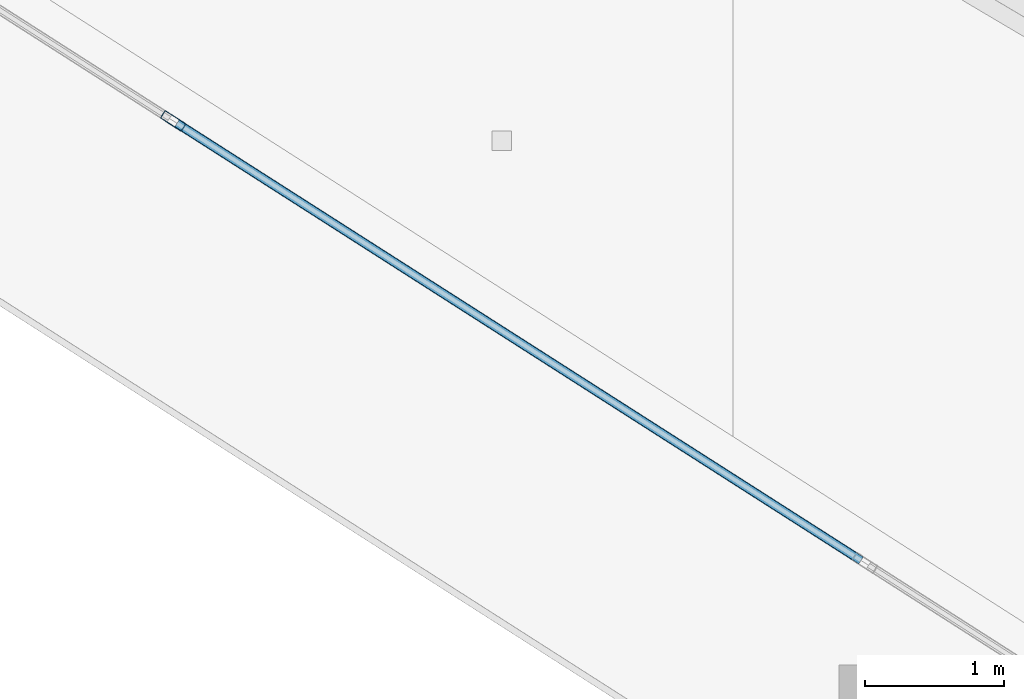
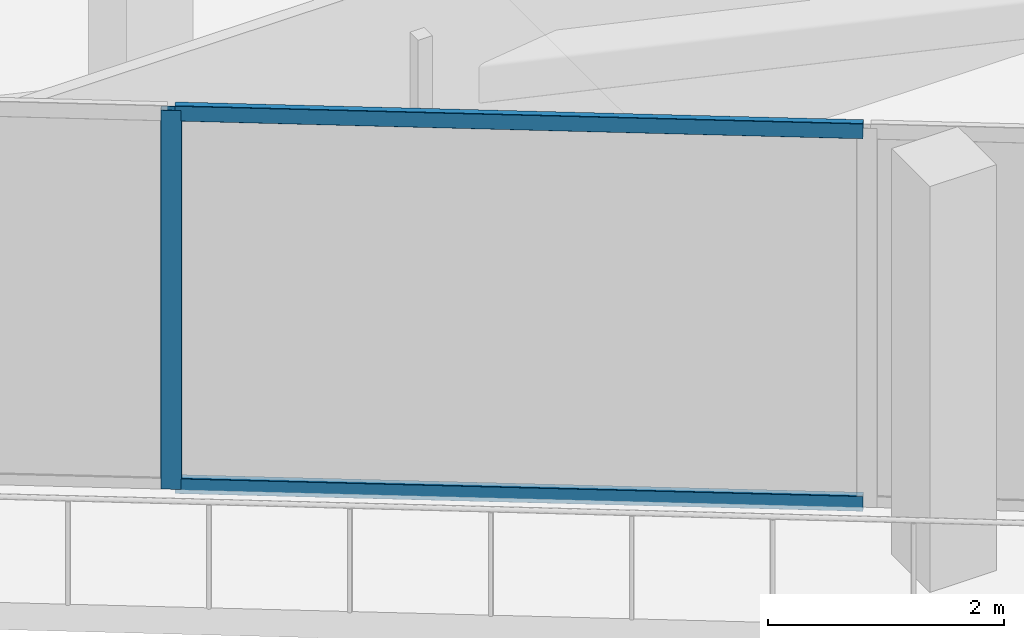
# One storey, part 3 of 45: 3 members, 1 element without a shape of its own.
"""IFC4 building model written with IfcOpenShell, lengths in metres."""

from ifc_helpers import new_model, si_unit, direction, frame, origin, origin_2d, place, context, subcontext, project, spatial, hollow_rectangle, extrude, material, layer, layer_set, material_profile, profile_set, type_object, element, aggregate, save


model = new_model("IFC4")

# Units and contexts
model_context = context("Model", 3, precision=1e-05, world=origin(), true_north=direction((0.0, 1.0)))
body_context = subcontext(model_context, "Body", "Model", "MODEL_VIEW")
ifc_project = project(units=[si_unit("LENGTHUNIT", "METRE"), si_unit("AREAUNIT", "SQUARE_METRE"), si_unit("VOLUMEUNIT", "CUBIC_METRE"), si_unit("PLANEANGLEUNIT", "RADIAN"), si_unit("MASSUNIT", "GRAM", prefix="KILO")], contexts=[model_context])

# Site, building, storey
site_placement = place(None, origin())
site = spatial("IfcSite", under=ifc_project, at=site_placement, CompositionType="ELEMENT")
building_placement = place(site_placement, origin())
building = spatial("IfcBuilding", under=site, at=building_placement, Name="Qorvath Tower", CompositionType="ELEMENT")
storey_placement = place(building_placement, frame((0.0, 0.0, 49.199951171875)))
storey = spatial("IfcBuildingStorey", under=building, at=storey_placement, Name="L10", CompositionType="ELEMENT", Elevation=49.199951171875)

# Curtain wall, members
ifc_material_1 = material(Name="Anodised aluminium and triple low-E glass", Category="aluminium")
ifc_layer = layer(ifc_material_1, 0.179931640625)
ifc_layer_set = layer_set([ifc_layer], Name="CW-SYS-2")
curtain_wall_type = type_object("IfcCurtainWallType", Name="CW-SYS-2", PredefinedType="NOTDEFINED", material=ifc_layer_set)
curtain_wall_placement = place(storey_placement, origin())
curtain_wall = element("IfcCurtainWall", 1, at=curtain_wall_placement, inside=storey, type_object=curtain_wall_type, Name="Curtain Wall CW-2 CW-T-L10-2.1", PredefinedType="NOTDEFINED")
ifc_material_2 = material(Name="Anodised aluminium 6063-T6", Category="aluminium")
ifc_material_profile_1 = material_profile(ifc_material_2, hollow_rectangle(XDim=0.06494140625, YDim=0.179931640625, WallThickness=0.00341796875, InnerFilletRadius=0.00341796875, OuterFilletRadius=0.007080078125, at=origin_2d()), Name="CWM 180x65")
ifc_profile_set_1 = profile_set([ifc_material_profile_1], Name="Anodised aluminium 6063-T6")
member_type_1 = type_object("IfcMemberType", Name="CWM-180", PredefinedType="MULLION", material=ifc_profile_set_1)
member_1_placement = place(storey_placement, frame((-50.65185546875, -10.534912109375, 0.0), z_axis=(0.0, 0.0, 1.0), x_axis=(0.538531853978, 0.842605152044, 0.0)))
member_1 = element("IfcMember", 2, at=member_1_placement, type_object=member_type_1, Name="CW-2 mullion 3", PredefinedType="MULLION", context=body_context, shape_type="SweptSolid", body=[
    extrude(hollow_rectangle(XDim=0.06494140625, YDim=0.179931640625, WallThickness=0.00341796875, InnerFilletRadius=0.00341796875, OuterFilletRadius=0.007080078125, at=origin_2d()), origin(), (0.0, 0.0, 1.0), 3.920166015625),
])
ifc_material_3 = material(Name="Anodised aluminium 6063-T6", Category="aluminium")
ifc_material_profile_2 = material_profile(ifc_material_3, hollow_rectangle(XDim=0.06494140625, YDim=0.159912109375, WallThickness=0.00341796875, InnerFilletRadius=0.00341796875, OuterFilletRadius=0.007080078125, at=origin_2d()), Name="CWT 160x65")
ifc_profile_set_2 = profile_set([ifc_material_profile_2], Name="Anodised aluminium 6063-T6")
member_type_2 = type_object("IfcMemberType", Name="CWT-160", PredefinedType="USERDEFINED", material=ifc_profile_set_2)
member_2_placement = place(storey_placement, frame((-50.624267578125, -10.552490234375, 0.032470703125), z_axis=(0.842618260885, -0.538511342891, 0.0), x_axis=(0.538511342891, 0.842618260885, 0.0)))
member_2 = element("IfcMember", 3, at=member_2_placement, type_object=member_type_2, Name="CW-2 transom 3.1", ObjectType="TRANSOM", PredefinedType="USERDEFINED", context=body_context, shape_type="SweptSolid", body=[
    extrude(hollow_rectangle(XDim=0.06494140625, YDim=0.159912109375, WallThickness=0.00341796875, InnerFilletRadius=0.00341796875, OuterFilletRadius=0.007080078125, at=origin_2d()), origin(), (0.0, 0.0, 1.0), 5.8388671875),
])
member_3_placement = place(storey_placement, frame((-50.624267578125, -10.552490234375, 3.8876953125), z_axis=(0.842618260885, -0.538511342891, 0.0), x_axis=(0.538511342891, 0.842618260885, 0.0)))
member_3 = element("IfcMember", 4, at=member_3_placement, type_object=member_type_2, Name="CW-2 transom 3.2", ObjectType="TRANSOM", PredefinedType="USERDEFINED", context=body_context, shape_type="SweptSolid", body=[
    extrude(hollow_rectangle(XDim=0.06494140625, YDim=0.159912109375, WallThickness=0.00341796875, InnerFilletRadius=0.00341796875, OuterFilletRadius=0.007080078125, at=origin_2d()), origin(), (0.0, 0.0, 1.0), 5.8388671875),
])
aggregate(curtain_wall, [member_1, member_2, member_3])

save(model, "model.ifc")
